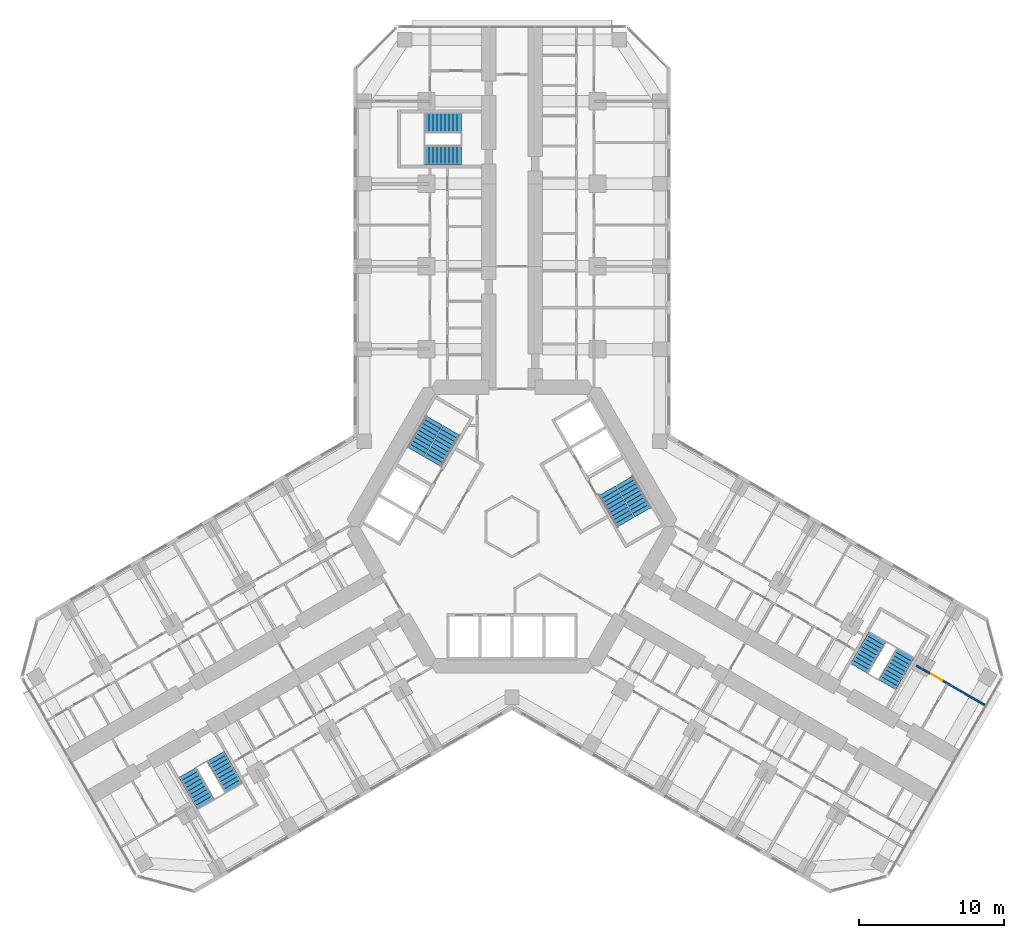
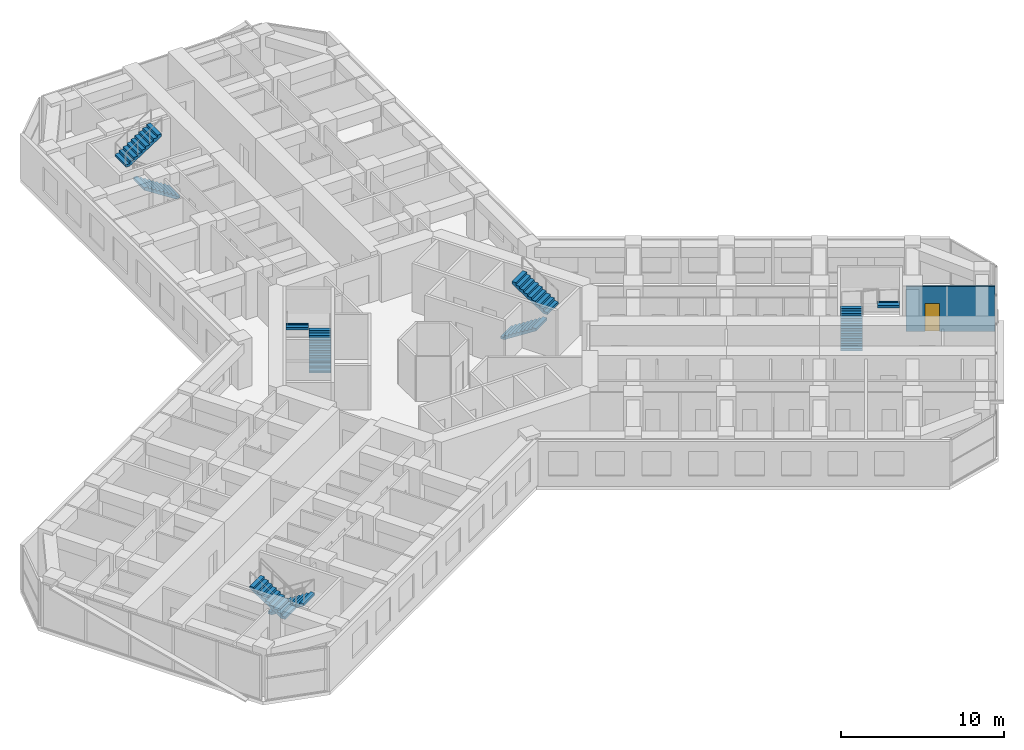
# One storey, part 20 of 21: 10 stair flights, 1 door, 1 wall, 1 opening, 5 elements without a shape of their own.
"""IFC4 building model written with IfcOpenShell, lengths in metres."""

from ifc_helpers import new_model, si_unit, direction, frame, frame_2d, origin, place, context, subcontext, project, spatial, polyline, rectangle, outline, extrude, material, layer, layer_set, type_object, element, fill, aggregate, save


model = new_model("IFC4")

# Units and contexts
model_context = context("Model", 3, precision=1e-05, world=origin(), true_north=direction((0.0, 1.0)))
body_context = subcontext(model_context, "Body", "Model", "MODEL_VIEW")
ifc_project = project(units=[si_unit("LENGTHUNIT", "METRE"), si_unit("AREAUNIT", "SQUARE_METRE"), si_unit("VOLUMEUNIT", "CUBIC_METRE"), si_unit("PLANEANGLEUNIT", "RADIAN"), si_unit("MASSUNIT", "GRAM", prefix="KILO")], contexts=[model_context])

# Site, building, storey
site_placement = place(None, origin())
site = spatial("IfcSite", under=ifc_project, at=site_placement, CompositionType="ELEMENT")
building_placement = place(site_placement, origin())
building = spatial("IfcBuilding", under=site, at=building_placement, Name="Kosmar Iwan School Tower", CompositionType="ELEMENT")
storey_placement = place(building_placement, frame((0.0, 0.0, 57.39990234375)))
storey = spatial("IfcBuildingStorey", under=building, at=storey_placement, Name="L13", CompositionType="ELEMENT", Elevation=57.39990234375)

# Wall, opening, door
ifc_material_1 = material(Name="Gypsum board on steel studs", Category="steel")
ifc_layer = layer(ifc_material_1, 0.1201171875)
ifc_layer_set = layer_set([ifc_layer], Name="Dwelling partition 120")
wall_type = type_object("IfcWallType", Name="Dwelling partition 120", PredefinedType="PARTITIONING", material=ifc_layer_set)
wall_placement = place(storey_placement, frame((27.896484375, -9.58203125, 0.0), z_axis=(0.0, 0.0, 1.0), x_axis=(0.866035508231, -0.499982498177, 0.0)))
wall = element("IfcWall", 1, at=wall_placement, inside=storey, type_object=wall_type, Name="Partition L13-CL2-TW", PredefinedType="PARTITIONING", context=body_context, shape_type="SweptSolid", body=[
    extrude(rectangle(XDim=5.445068359375, YDim=0.1201171875, at=frame_2d((2.72265625, 0.0))), origin(), (0.0, 0.0, 1.0), 3.35009765625),
])
opening_placement = place(wall_placement, frame((1.14990234375, 0.0, 0.0)))
opening = element("IfcOpeningElement", 2, at=opening_placement, cuts=wall, Name="Opening D2", PredefinedType="OPENING", context=body_context, shape_type="SweptSolid", body=[
    extrude(rectangle(XDim=0.89990234375, YDim=2.10009765625, at=frame_2d((0.449951171875, 1.050048828125))), frame((0.0, 0.072021484375, 0.0), z_axis=(0.0, -1.0, 0.0), x_axis=(1.0, 0.0, 0.0)), (0.0, 0.0, 1.0), 0.14404296875),
])
ifc_material_2 = material(Name="Timber door in timber frame", Category="wood")
door_type = type_object("IfcDoorType", Name="Internal door 900x2100", OperationType="SINGLE_SWING_LEFT", PredefinedType="DOOR", material=ifc_material_2)
door_placement = place(opening_placement, origin())
door = element("IfcDoor", 3, at=door_placement, inside=storey, type_object=door_type, Name="Entrance hall door L13-CL2-T3", OperationType="SINGLE_SWING_LEFT", OverallHeight=2.10009765625, OverallWidth=0.89990234375, PredefinedType="DOOR", context=body_context, shape_type="SweptSolid", body=[
    extrude(rectangle(XDim=0.89990234375, YDim=2.10009765625, at=frame_2d((0.449951171875, 1.050048828125))), frame((0.0, 0.02490234375, 0.0), z_axis=(0.0, -1.0, 0.0), x_axis=(1.0, 0.0, 0.0)), (0.0, 0.0, 1.0), 0.050048828125),
])
fill(opening, door)

# Stair, stair flights
ifc_material_3 = material(Name="Concrete C35/45", Category="concrete")
stair_type_1 = type_object("IfcStairType", Name="Escape stair 3600", PredefinedType="HALF_TURN_STAIR", material=ifc_material_3)
stair_1_placement = place(storey_placement, origin())
stair_1 = element("IfcStair", 4, at=stair_1_placement, inside=storey, type_object=stair_type_1, Name="Stair WS1 L13", PredefinedType="HALF_TURN_STAIR")
ifc_material_4 = material(Name="Concrete C35/45", Category="concrete")
stair_flight_type_1 = type_object("IfcStairFlightType", Name="Escape stair flight 1350", PredefinedType="STRAIGHT", material=ifc_material_4)
stair_flight_1_placement = place(storey_placement, frame((-3.5, 25.625, 0.0), z_axis=(0.0, 0.0, 1.0), x_axis=(-1.0, 0.0, 0.0)))
stair_flight_1 = element("IfcStairFlight", 5, at=stair_flight_1_placement, type_object=stair_flight_type_1, Name="WS1 flight 1", NumberOfRisers=10, NumberOfTreads=9, PredefinedType="STRAIGHT", RiserHeight=0.18, TreadLength=0.28, context=body_context, shape_type="SweptSolid", body=[
    extrude(outline(polyline([(0.0, 0.0), (0.0, 0.179931640625), (0.280029296875, 0.179931640625), (0.280029296875, 0.360107421875), (0.56005859375, 0.360107421875), (0.56005859375, 0.5400390625), (0.840087890625, 0.5400390625), (0.840087890625, 0.719970703125), (1.1201171875, 0.719970703125), (1.1201171875, 0.89990234375), (1.39990234375, 0.89990234375), (1.39990234375, 1.080078125), (1.679931640625, 1.080078125), (1.679931640625, 1.260009765625), (1.9599609375, 1.260009765625), (1.9599609375, 1.43994140625), (2.239990234375, 1.43994140625), (2.239990234375, 1.6201171875), (2.52001953125, 1.6201171875), (2.52001953125, 1.800048828125), (2.52001953125, 1.44189453125), (0.277099609375, 0.0), (0.0, 0.0)])), frame((0.0, 0.675048828125, 0.0), z_axis=(0.0, -1.0, 0.0), x_axis=(1.0, 0.0, 0.0)), (0.0, 0.0, 1.0), 1.35009765625),
])
stair_flight_2_placement = place(storey_placement, frame((-6.02001953125, 27.875, 1.800048828125), z_axis=(0.0, 0.0, 1.0), x_axis=(1.0, 0.0, 0.0)))
stair_flight_2 = element("IfcStairFlight", 6, at=stair_flight_2_placement, type_object=stair_flight_type_1, Name="WS1 flight 2", NumberOfRisers=10, NumberOfTreads=9, PredefinedType="STRAIGHT", RiserHeight=0.18, TreadLength=0.28, context=body_context, shape_type="SweptSolid", body=[
    extrude(outline(polyline([(0.0, 0.0), (0.0, 0.179931640625), (0.280029296875, 0.179931640625), (0.280029296875, 0.360107421875), (0.56005859375, 0.360107421875), (0.56005859375, 0.5400390625), (0.840087890625, 0.5400390625), (0.840087890625, 0.719970703125), (1.1201171875, 0.719970703125), (1.1201171875, 0.89990234375), (1.39990234375, 0.89990234375), (1.39990234375, 1.080078125), (1.679931640625, 1.080078125), (1.679931640625, 1.260009765625), (1.9599609375, 1.260009765625), (1.9599609375, 1.43994140625), (2.239990234375, 1.43994140625), (2.239990234375, 1.6201171875), (2.52001953125, 1.6201171875), (2.52001953125, 1.800048828125), (2.52001953125, 1.44189453125), (0.277099609375, 0.0), (0.0, 0.0)])), frame((0.0, 0.675048828125, 0.0), z_axis=(0.0, -1.0, 0.0), x_axis=(1.0, 0.0, 0.0)), (0.0, 0.0, 1.0), 1.35009765625),
])
aggregate(stair_1, [stair_flight_1, stair_flight_2])

stair_2_placement = place(storey_placement, origin())
stair_2 = element("IfcStair", 7, at=stair_2_placement, inside=storey, type_object=stair_type_1, Name="Stair WS2 L13", PredefinedType="HALF_TURN_STAIR")
stair_flight_3_placement = place(storey_placement, frame((-20.44189453125, -15.843505859375, 0.0), z_axis=(0.0, 0.0, 1.0), x_axis=(0.5, -0.866025403784, 0.0)))
stair_flight_3 = element("IfcStairFlight", 8, at=stair_flight_3_placement, type_object=stair_flight_type_1, Name="WS2 flight 1", NumberOfRisers=10, NumberOfTreads=9, PredefinedType="STRAIGHT", RiserHeight=0.18, TreadLength=0.28, context=body_context, shape_type="SweptSolid", body=[
    extrude(outline(polyline([(0.0, 0.0), (0.0, 0.179931640625), (0.280029296875, 0.179931640625), (0.280029296875, 0.360107421875), (0.56005859375, 0.360107421875), (0.56005859375, 0.5400390625), (0.840087890625, 0.5400390625), (0.840087890625, 0.719970703125), (1.1201171875, 0.719970703125), (1.1201171875, 0.89990234375), (1.39990234375, 0.89990234375), (1.39990234375, 1.080078125), (1.679931640625, 1.080078125), (1.679931640625, 1.260009765625), (1.9599609375, 1.260009765625), (1.9599609375, 1.43994140625), (2.239990234375, 1.43994140625), (2.239990234375, 1.6201171875), (2.52001953125, 1.6201171875), (2.52001953125, 1.800048828125), (2.52001953125, 1.44189453125), (0.277099609375, 0.0), (0.0, 0.0)])), frame((0.0, 0.675048828125, 0.0), z_axis=(0.0, -1.0, 0.0), x_axis=(1.0, 0.0, 0.0)), (0.0, 0.0, 1.0), 1.35009765625),
])
stair_flight_4_placement = place(storey_placement, frame((-21.13037109375, -19.15087890625, 1.800048828125), z_axis=(0.0, 0.0, 1.0), x_axis=(-0.5, 0.866025403784, 0.0)))
stair_flight_4 = element("IfcStairFlight", 9, at=stair_flight_4_placement, type_object=stair_flight_type_1, Name="WS2 flight 2", NumberOfRisers=10, NumberOfTreads=9, PredefinedType="STRAIGHT", RiserHeight=0.18, TreadLength=0.28, context=body_context, shape_type="SweptSolid", body=[
    extrude(outline(polyline([(0.0, 0.0), (0.0, 0.179931640625), (0.280029296875, 0.179931640625), (0.280029296875, 0.360107421875), (0.56005859375, 0.360107421875), (0.56005859375, 0.5400390625), (0.840087890625, 0.5400390625), (0.840087890625, 0.719970703125), (1.1201171875, 0.719970703125), (1.1201171875, 0.89990234375), (1.39990234375, 0.89990234375), (1.39990234375, 1.080078125), (1.679931640625, 1.080078125), (1.679931640625, 1.260009765625), (1.9599609375, 1.260009765625), (1.9599609375, 1.43994140625), (2.239990234375, 1.43994140625), (2.239990234375, 1.6201171875), (2.52001953125, 1.6201171875), (2.52001953125, 1.800048828125), (2.52001953125, 1.44189453125), (0.277099609375, 0.0), (0.0, 0.0)])), frame((0.0, 0.675048828125, 0.0), z_axis=(0.0, -1.0, 0.0), x_axis=(1.0, 0.0, 0.0)), (0.0, 0.0, 1.0), 1.35009765625),
])
aggregate(stair_2, [stair_flight_3, stair_flight_4])

stair_3_placement = place(storey_placement, origin())
stair_3 = element("IfcStair", 10, at=stair_3_placement, inside=storey, type_object=stair_type_1, Name="Stair WS3 L13", PredefinedType="HALF_TURN_STAIR")
stair_flight_5_placement = place(storey_placement, frame((23.94189453125, -9.781494140625, 0.0), z_axis=(0.0, 0.0, 1.0), x_axis=(0.5, 0.866025403784, 0.0)))
stair_flight_5 = element("IfcStairFlight", 11, at=stair_flight_5_placement, type_object=stair_flight_type_1, Name="WS3 flight 1", NumberOfRisers=10, NumberOfTreads=9, PredefinedType="STRAIGHT", RiserHeight=0.18, TreadLength=0.28, context=body_context, shape_type="SweptSolid", body=[
    extrude(outline(polyline([(0.0, 0.0), (0.0, 0.179931640625), (0.280029296875, 0.179931640625), (0.280029296875, 0.360107421875), (0.56005859375, 0.360107421875), (0.56005859375, 0.5400390625), (0.840087890625, 0.5400390625), (0.840087890625, 0.719970703125), (1.1201171875, 0.719970703125), (1.1201171875, 0.89990234375), (1.39990234375, 0.89990234375), (1.39990234375, 1.080078125), (1.679931640625, 1.080078125), (1.679931640625, 1.260009765625), (1.9599609375, 1.260009765625), (1.9599609375, 1.43994140625), (2.239990234375, 1.43994140625), (2.239990234375, 1.6201171875), (2.52001953125, 1.6201171875), (2.52001953125, 1.800048828125), (2.52001953125, 1.44189453125), (0.277099609375, 0.0), (0.0, 0.0)])), frame((0.0, 0.675048828125, 0.0), z_axis=(0.0, -1.0, 0.0), x_axis=(1.0, 0.0, 0.0)), (0.0, 0.0, 1.0), 1.35009765625),
])
stair_flight_6_placement = place(storey_placement, frame((27.150390625, -8.72412109375, 1.800048828125), z_axis=(0.0, 0.0, 1.0), x_axis=(-0.5, -0.866025403784, 0.0)))
stair_flight_6 = element("IfcStairFlight", 12, at=stair_flight_6_placement, type_object=stair_flight_type_1, Name="WS3 flight 2", NumberOfRisers=10, NumberOfTreads=9, PredefinedType="STRAIGHT", RiserHeight=0.18, TreadLength=0.28, context=body_context, shape_type="SweptSolid", body=[
    extrude(outline(polyline([(0.0, 0.0), (0.0, 0.179931640625), (0.280029296875, 0.179931640625), (0.280029296875, 0.360107421875), (0.56005859375, 0.360107421875), (0.56005859375, 0.5400390625), (0.840087890625, 0.5400390625), (0.840087890625, 0.719970703125), (1.1201171875, 0.719970703125), (1.1201171875, 0.89990234375), (1.39990234375, 0.89990234375), (1.39990234375, 1.080078125), (1.679931640625, 1.080078125), (1.679931640625, 1.260009765625), (1.9599609375, 1.260009765625), (1.9599609375, 1.43994140625), (2.239990234375, 1.43994140625), (2.239990234375, 1.6201171875), (2.52001953125, 1.6201171875), (2.52001953125, 1.800048828125), (2.52001953125, 1.44189453125), (0.277099609375, 0.0), (0.0, 0.0)])), frame((0.0, 0.675048828125, 0.0), z_axis=(0.0, -1.0, 0.0), x_axis=(1.0, 0.0, 0.0)), (0.0, 0.0, 1.0), 1.35009765625),
])
aggregate(stair_3, [stair_flight_5, stair_flight_6])

ifc_material_5 = material(Name="Concrete C35/45", Category="concrete")
stair_type_2 = type_object("IfcStairType", Name="Core stair 2750", PredefinedType="HALF_TURN_STAIR", material=ifc_material_5)
stair_4_placement = place(storey_placement, origin())
stair_4 = element("IfcStair", 13, at=stair_4_placement, inside=storey, type_object=stair_type_2, Name="Stair ST2 L13", PredefinedType="HALF_TURN_STAIR")
ifc_material_6 = material(Name="Concrete C35/45", Category="concrete")
stair_flight_type_2 = type_object("IfcStairFlightType", Name="Stair flight 1350", PredefinedType="STRAIGHT", material=ifc_material_6)
stair_flight_7_placement = place(storey_placement, frame((-5.42724609375, 4.44970703125, 0.0), z_axis=(0.0, 0.0, 1.0), x_axis=(0.5, 0.866025403784, 0.0)))
stair_flight_7 = element("IfcStairFlight", 14, at=stair_flight_7_placement, type_object=stair_flight_type_2, Name="ST2 flight 1", NumberOfRisers=10, NumberOfTreads=9, PredefinedType="STRAIGHT", RiserHeight=0.18, TreadLength=0.28, context=body_context, shape_type="SweptSolid", body=[
    extrude(outline(polyline([(0.0, 0.0), (0.0, 0.179931640625), (0.280029296875, 0.179931640625), (0.280029296875, 0.360107421875), (0.56005859375, 0.360107421875), (0.56005859375, 0.5400390625), (0.840087890625, 0.5400390625), (0.840087890625, 0.719970703125), (1.1201171875, 0.719970703125), (1.1201171875, 0.89990234375), (1.39990234375, 0.89990234375), (1.39990234375, 1.080078125), (1.679931640625, 1.080078125), (1.679931640625, 1.260009765625), (1.9599609375, 1.260009765625), (1.9599609375, 1.43994140625), (2.239990234375, 1.43994140625), (2.239990234375, 1.6201171875), (2.52001953125, 1.6201171875), (2.52001953125, 1.800048828125), (2.52001953125, 1.44189453125), (0.277099609375, 0.0), (0.0, 0.0)])), frame((0.0, 0.675048828125, 0.0), z_axis=(0.0, -1.0, 0.0), x_axis=(1.0, 0.0, 0.0)), (0.0, 0.0, 1.0), 1.35009765625),
])
stair_flight_8_placement = place(storey_placement, frame((-5.379638671875, 7.33203125, 1.800048828125), z_axis=(0.0, 0.0, 1.0), x_axis=(-0.5, -0.866025403784, 0.0)))
stair_flight_8 = element("IfcStairFlight", 15, at=stair_flight_8_placement, type_object=stair_flight_type_2, Name="ST2 flight 2", NumberOfRisers=10, NumberOfTreads=9, PredefinedType="STRAIGHT", RiserHeight=0.18, TreadLength=0.28, context=body_context, shape_type="SweptSolid", body=[
    extrude(outline(polyline([(0.0, 0.0), (0.0, 0.179931640625), (0.280029296875, 0.179931640625), (0.280029296875, 0.360107421875), (0.56005859375, 0.360107421875), (0.56005859375, 0.5400390625), (0.840087890625, 0.5400390625), (0.840087890625, 0.719970703125), (1.1201171875, 0.719970703125), (1.1201171875, 0.89990234375), (1.39990234375, 0.89990234375), (1.39990234375, 1.080078125), (1.679931640625, 1.080078125), (1.679931640625, 1.260009765625), (1.9599609375, 1.260009765625), (1.9599609375, 1.43994140625), (2.239990234375, 1.43994140625), (2.239990234375, 1.6201171875), (2.52001953125, 1.6201171875), (2.52001953125, 1.800048828125), (2.52001953125, 1.44189453125), (0.277099609375, 0.0), (0.0, 0.0)])), frame((0.0, 0.675048828125, 0.0), z_axis=(0.0, -1.0, 0.0), x_axis=(1.0, 0.0, 0.0)), (0.0, 0.0, 1.0), 1.35009765625),
])
aggregate(stair_4, [stair_flight_7, stair_flight_8])

stair_5_placement = place(storey_placement, origin())
stair_5 = element("IfcStair", 16, at=stair_5_placement, inside=storey, type_object=stair_type_2, Name="Stair ST1 L13", PredefinedType="HALF_TURN_STAIR")
stair_flight_9_placement = place(storey_placement, frame((6.567138671875, 2.475341796875, 0.0), z_axis=(0.0, 0.0, 1.0), x_axis=(0.5, -0.866025403784, 0.0)))
stair_flight_9 = element("IfcStairFlight", 17, at=stair_flight_9_placement, type_object=stair_flight_type_2, Name="ST1 flight 1", NumberOfRisers=10, NumberOfTreads=9, PredefinedType="STRAIGHT", RiserHeight=0.18, TreadLength=0.28, context=body_context, shape_type="SweptSolid", body=[
    extrude(outline(polyline([(0.0, 0.0), (0.0, 0.179931640625), (0.280029296875, 0.179931640625), (0.280029296875, 0.360107421875), (0.56005859375, 0.360107421875), (0.56005859375, 0.5400390625), (0.840087890625, 0.5400390625), (0.840087890625, 0.719970703125), (1.1201171875, 0.719970703125), (1.1201171875, 0.89990234375), (1.39990234375, 0.89990234375), (1.39990234375, 1.080078125), (1.679931640625, 1.080078125), (1.679931640625, 1.260009765625), (1.9599609375, 1.260009765625), (1.9599609375, 1.43994140625), (2.239990234375, 1.43994140625), (2.239990234375, 1.6201171875), (2.52001953125, 1.6201171875), (2.52001953125, 1.800048828125), (2.52001953125, 1.44189453125), (0.277099609375, 0.0), (0.0, 0.0)])), frame((0.0, 0.675048828125, 0.0), z_axis=(0.0, -1.0, 0.0), x_axis=(1.0, 0.0, 0.0)), (0.0, 0.0, 1.0), 1.35009765625),
])
stair_flight_10_placement = place(storey_placement, frame((9.03955078125, 0.992919921875, 1.800048828125), z_axis=(0.0, 0.0, 1.0), x_axis=(-0.5, 0.866025403784, 0.0)))
stair_flight_10 = element("IfcStairFlight", 18, at=stair_flight_10_placement, type_object=stair_flight_type_2, Name="ST1 flight 2", NumberOfRisers=10, NumberOfTreads=9, PredefinedType="STRAIGHT", RiserHeight=0.18, TreadLength=0.28, context=body_context, shape_type="SweptSolid", body=[
    extrude(outline(polyline([(0.0, 0.0), (0.0, 0.179931640625), (0.280029296875, 0.179931640625), (0.280029296875, 0.360107421875), (0.56005859375, 0.360107421875), (0.56005859375, 0.5400390625), (0.840087890625, 0.5400390625), (0.840087890625, 0.719970703125), (1.1201171875, 0.719970703125), (1.1201171875, 0.89990234375), (1.39990234375, 0.89990234375), (1.39990234375, 1.080078125), (1.679931640625, 1.080078125), (1.679931640625, 1.260009765625), (1.9599609375, 1.260009765625), (1.9599609375, 1.43994140625), (2.239990234375, 1.43994140625), (2.239990234375, 1.6201171875), (2.52001953125, 1.6201171875), (2.52001953125, 1.800048828125), (2.52001953125, 1.44189453125), (0.277099609375, 0.0), (0.0, 0.0)])), frame((0.0, 0.675048828125, 0.0), z_axis=(0.0, -1.0, 0.0), x_axis=(1.0, 0.0, 0.0)), (0.0, 0.0, 1.0), 1.35009765625),
])
aggregate(stair_5, [stair_flight_9, stair_flight_10])

save(model, "model.ifc")
